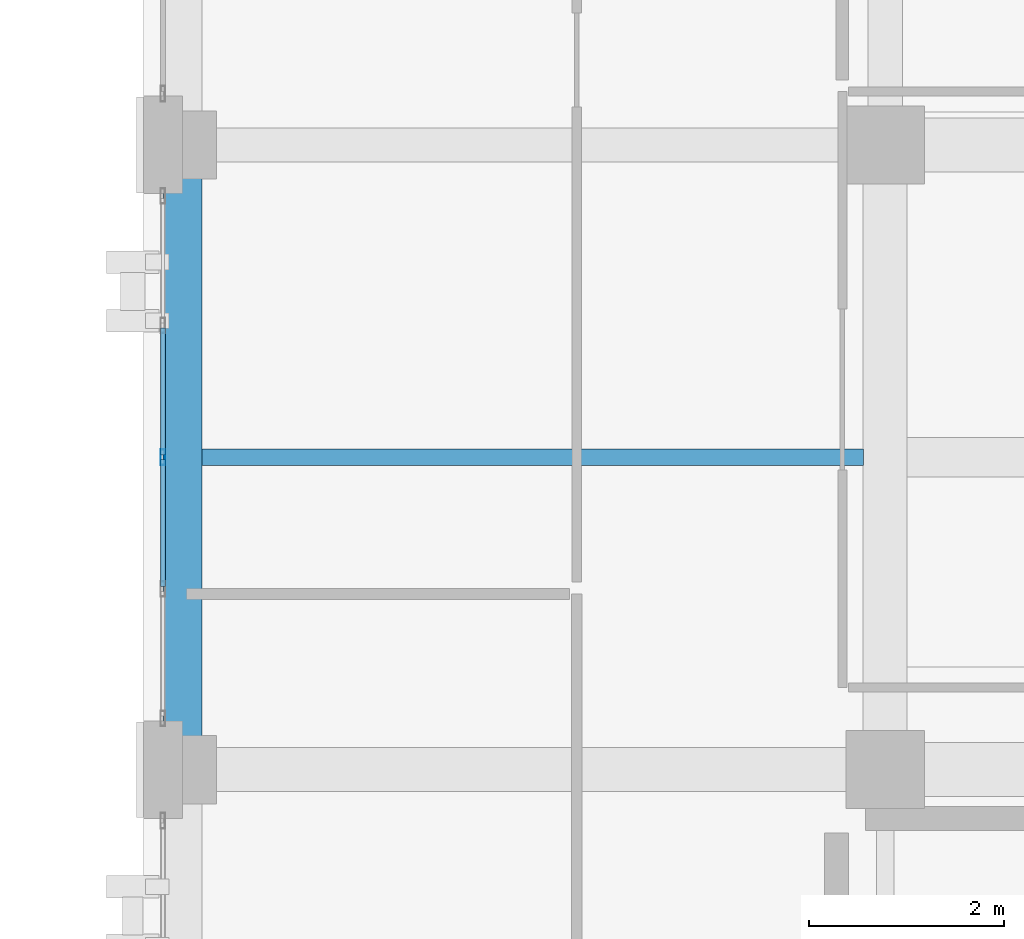
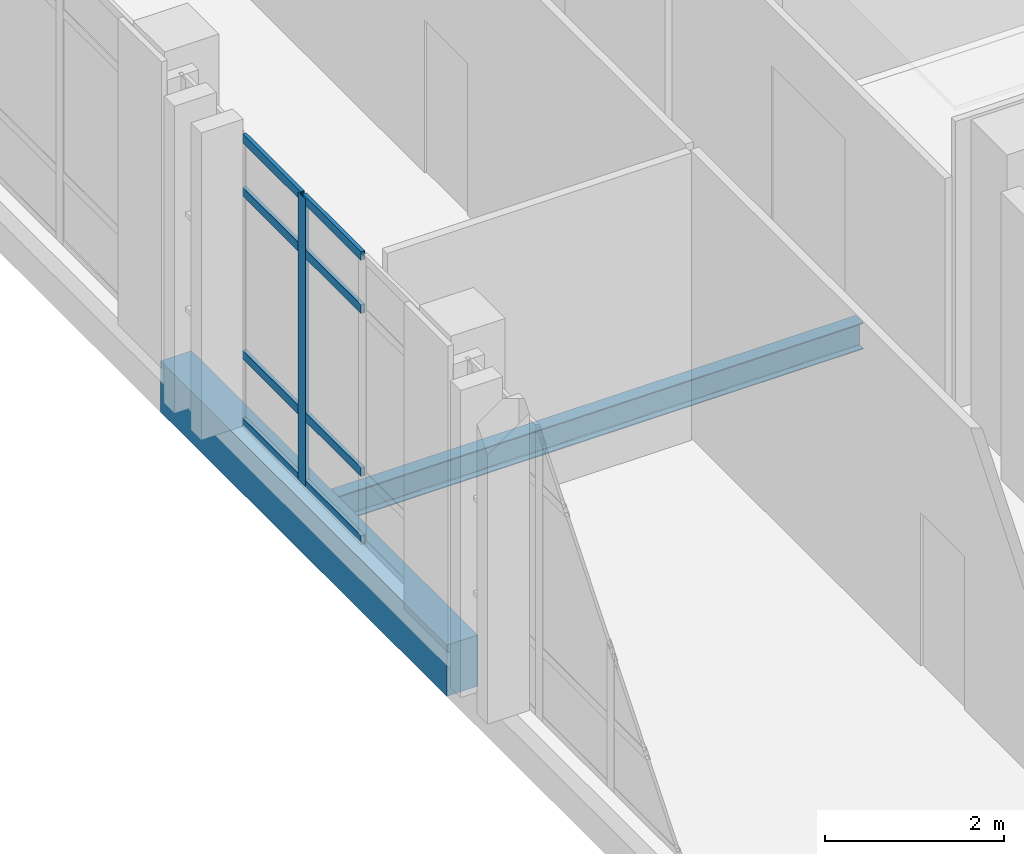
# One storey, part 98 of 158: 9 members, 2 beams, 1 element without a shape of its own.
"""IFC4 building model written with IfcOpenShell, lengths in metres."""

from ifc_helpers import new_model, si_unit, direction, frame, origin, origin_2d, place, context, subcontext, project, spatial, rectangle, hollow_rectangle, i_section, extrude, material, layer, layer_set, material_profile, profile_set, type_object, element, aggregate, save


model = new_model("IFC4")

# Units and contexts
model_context = context("Model", 3, precision=1e-05, world=origin(), true_north=direction((0.0, 1.0)))
body_context = subcontext(model_context, "Body", "Model", "MODEL_VIEW")
ifc_project = project(units=[si_unit("LENGTHUNIT", "METRE"), si_unit("AREAUNIT", "SQUARE_METRE"), si_unit("VOLUMEUNIT", "CUBIC_METRE"), si_unit("PLANEANGLEUNIT", "RADIAN"), si_unit("MASSUNIT", "GRAM", prefix="KILO")], contexts=[model_context])

# Site, building, storey
site_placement = place(None, origin())
site = spatial("IfcSite", under=ifc_project, at=site_placement, CompositionType="ELEMENT")
building_placement = place(site_placement, origin())
building = spatial("IfcBuilding", under=site, at=building_placement, Name="Qalavern Law Courts", CompositionType="ELEMENT")
storey_placement = place(building_placement, frame((0.0, 0.0, 18.60009765625)))
storey = spatial("IfcBuildingStorey", under=building, at=storey_placement, Name="L04", CompositionType="ELEMENT", Elevation=18.60009765625)

# Curtain wall, members
ifc_material_1 = material(Name="Anodised aluminium and insulated glazing", Category="aluminium")
ifc_layer = layer(ifc_material_1, 0.159912109375)
ifc_layer_set = layer_set([ifc_layer], Name="Anodised aluminium and insulated glazing")
curtain_wall_type = type_object("IfcCurtainWallType", Name="ENV-CW-CHAMB", PredefinedType="USERDEFINED", material=ifc_layer_set)
curtain_wall_placement = place(storey_placement, origin())
curtain_wall = element("IfcCurtainWall", 1, at=curtain_wall_placement, inside=storey, type_object=curtain_wall_type, Name="V4 unitised curtain wall L04 west 2", ObjectType="UNITISED CURTAIN WALL", PredefinedType="USERDEFINED")
ifc_material_2 = material(Name="Anodised aluminium", Category="aluminium")
ifc_material_profile_1 = material_profile(ifc_material_2, hollow_rectangle(XDim=0.048095703125, YDim=0.159912109375, WallThickness=0.00390625, at=origin_2d()), Name="ALU MULLION 48x160")
ifc_profile_set_1 = profile_set([ifc_material_profile_1], Name="Anodised aluminium")
member_type_1 = type_object("IfcMemberType", Name="ENV-CWM-48x160", PredefinedType="MULLION", material=ifc_profile_set_1)
member_1_placement = place(storey_placement, frame((84.39990234375, 76.0, 0.0), z_axis=(0.0, 0.0, 1.0), x_axis=(1.0, 0.0, 0.0)))
member_1 = element("IfcMember", 2, at=member_1_placement, type_object=member_type_1, Name="CW-04 mullion 3", PredefinedType="MULLION", context=body_context, shape_type="SweptSolid", body=[
    extrude(hollow_rectangle(XDim=0.048095703125, YDim=0.159912109375, WallThickness=0.00390625, at=origin_2d()), origin(), (0.0, 0.0, 1.0), 3.9248046875),
])
ifc_material_profile_2 = material_profile(ifc_material_2, hollow_rectangle(XDim=0.048095703125, YDim=0.1201171875, WallThickness=0.00390625, at=origin_2d()), Name="ALU TRANSOM 48x120")
ifc_profile_set_2 = profile_set([ifc_material_profile_2], Name="Anodised aluminium")
member_type_2 = type_object("IfcMemberType", Name="ENV-CWT-48x120", PredefinedType="USERDEFINED", material=ifc_profile_set_2)
member_2_placement = place(storey_placement, frame((84.39990234375, 77.325927734375, 0.02392578125), z_axis=(0.0, -1.0, 0.0), x_axis=(1.0, 0.0, 0.0)))
member_2 = element("IfcMember", 3, at=member_2_placement, type_object=member_type_2, Name="CW-04 transom 2.1", ObjectType="TRANSOM", PredefinedType="USERDEFINED", context=body_context, shape_type="SweptSolid", body=[
    extrude(hollow_rectangle(XDim=0.048095703125, YDim=0.1201171875, WallThickness=0.00390625, at=origin_2d()), origin(), (0.0, 0.0, 1.0), 1.302001953125),
])
member_3_placement = place(storey_placement, frame((84.39990234375, 77.325927734375, 0.949951171875), z_axis=(0.0, -1.0, 0.0), x_axis=(1.0, 0.0, 0.0)))
member_3 = element("IfcMember", 4, at=member_3_placement, type_object=member_type_2, Name="CW-04 transom 2.2", ObjectType="TRANSOM", PredefinedType="USERDEFINED", context=body_context, shape_type="SweptSolid", body=[
    extrude(hollow_rectangle(XDim=0.048095703125, YDim=0.1201171875, WallThickness=0.00390625, at=origin_2d()), origin(), (0.0, 0.0, 1.0), 1.302001953125),
])
member_4_placement = place(storey_placement, frame((84.39990234375, 77.325927734375, 3.1748046875), z_axis=(0.0, -1.0, 0.0), x_axis=(1.0, 0.0, 0.0)))
member_4 = element("IfcMember", 5, at=member_4_placement, type_object=member_type_2, Name="CW-04 transom 2.3", ObjectType="TRANSOM", PredefinedType="USERDEFINED", context=body_context, shape_type="SweptSolid", body=[
    extrude(hollow_rectangle(XDim=0.048095703125, YDim=0.1201171875, WallThickness=0.00390625, at=origin_2d()), origin(), (0.0, 0.0, 1.0), 1.302001953125),
])
member_5_placement = place(storey_placement, frame((84.39990234375, 77.325927734375, 3.90087890625), z_axis=(0.0, -1.0, 0.0), x_axis=(1.0, 0.0, 0.0)))
member_5 = element("IfcMember", 6, at=member_5_placement, type_object=member_type_2, Name="CW-04 transom 2.4", ObjectType="TRANSOM", PredefinedType="USERDEFINED", context=body_context, shape_type="SweptSolid", body=[
    extrude(hollow_rectangle(XDim=0.048095703125, YDim=0.1201171875, WallThickness=0.00390625, at=origin_2d()), origin(), (0.0, 0.0, 1.0), 1.302001953125),
])
member_6_placement = place(storey_placement, frame((84.39990234375, 75.97607421875, 0.02392578125), z_axis=(0.0, -1.0, 0.0), x_axis=(1.0, 0.0, 0.0)))
member_6 = element("IfcMember", 7, at=member_6_placement, type_object=member_type_2, Name="CW-04 transom 3.1", ObjectType="TRANSOM", PredefinedType="USERDEFINED", context=body_context, shape_type="SweptSolid", body=[
    extrude(hollow_rectangle(XDim=0.048095703125, YDim=0.1201171875, WallThickness=0.00390625, at=origin_2d()), origin(), (0.0, 0.0, 1.0), 1.302001953125),
])
member_7_placement = place(storey_placement, frame((84.39990234375, 75.97607421875, 0.949951171875), z_axis=(0.0, -1.0, 0.0), x_axis=(1.0, 0.0, 0.0)))
member_7 = element("IfcMember", 8, at=member_7_placement, type_object=member_type_2, Name="CW-04 transom 3.2", ObjectType="TRANSOM", PredefinedType="USERDEFINED", context=body_context, shape_type="SweptSolid", body=[
    extrude(hollow_rectangle(XDim=0.048095703125, YDim=0.1201171875, WallThickness=0.00390625, at=origin_2d()), origin(), (0.0, 0.0, 1.0), 1.302001953125),
])
member_8_placement = place(storey_placement, frame((84.39990234375, 75.97607421875, 3.1748046875), z_axis=(0.0, -1.0, 0.0), x_axis=(1.0, 0.0, 0.0)))
member_8 = element("IfcMember", 9, at=member_8_placement, type_object=member_type_2, Name="CW-04 transom 3.3", ObjectType="TRANSOM", PredefinedType="USERDEFINED", context=body_context, shape_type="SweptSolid", body=[
    extrude(hollow_rectangle(XDim=0.048095703125, YDim=0.1201171875, WallThickness=0.00390625, at=origin_2d()), origin(), (0.0, 0.0, 1.0), 1.302001953125),
])
member_9_placement = place(storey_placement, frame((84.39990234375, 75.97607421875, 3.90087890625), z_axis=(0.0, -1.0, 0.0), x_axis=(1.0, 0.0, 0.0)))
member_9 = element("IfcMember", 10, at=member_9_placement, type_object=member_type_2, Name="CW-04 transom 3.4", ObjectType="TRANSOM", PredefinedType="USERDEFINED", context=body_context, shape_type="SweptSolid", body=[
    extrude(hollow_rectangle(XDim=0.048095703125, YDim=0.1201171875, WallThickness=0.00390625, at=origin_2d()), origin(), (0.0, 0.0, 1.0), 1.302001953125),
])
aggregate(curtain_wall, [member_1, member_2, member_3, member_4, member_5, member_6, member_7, member_8, member_9])

# Beams
ifc_material_3 = material(Name="Steel S355", Category="steel")
ifc_material_profile_3 = material_profile(ifc_material_3, i_section(OverallWidth=0.169921875, OverallDepth=0.360107421875, WebThickness=0.008056640625, FlangeThickness=0.0126953125, FilletRadius=0.01806640625, at=origin_2d()), Name="IPE 360")
ifc_profile_set_3 = profile_set([ifc_material_profile_3], Name="Steel S355")
beam_type_1 = type_object("IfcBeamType", Name="STR-JST-IPE360", PredefinedType="JOIST", material=ifc_profile_set_3)
beam_1_placement = place(storey_placement, frame((84.798095703125, 76.0, -0.460205078125), z_axis=(1.0, 0.0, 0.0), x_axis=(0.0, 1.0, 0.0)))
element("IfcBeam", 11, at=beam_1_placement, inside=storey, type_object=beam_type_1, Name="V4 secondary joist 1.5.1 L04", PredefinedType="JOIST", context=body_context, shape_type="SweptSolid", body=[
    extrude(i_section(OverallWidth=0.169921875, OverallDepth=0.360107421875, WebThickness=0.008056640625, FlangeThickness=0.0126953125, FilletRadius=0.01806640625, at=origin_2d()), origin(), (0.0, 0.0, 1.0), 6.77880859375),
])
ifc_material_4 = material(Name="Concrete C40/50", Category="concrete")
ifc_material_profile_4 = material_profile(ifc_material_4, rectangle(XDim=0.39990234375, YDim=0.699951171875, at=origin_2d()), Name="RC 400x700")
ifc_profile_set_4 = profile_set([ifc_material_profile_4], Name="Concrete C40/50")
beam_type_2 = type_object("IfcBeamType", Name="STR-SP-RC400x700", PredefinedType="SPANDREL", material=ifc_profile_set_4)
beam_2_placement = place(storey_placement, frame((84.60009765625, 72.800048828125, -0.630126953125), z_axis=(0.0, 1.0, 0.0), x_axis=(-1.0, 0.0, 0.0)))
element("IfcBeam", 12, at=beam_2_placement, inside=storey, type_object=beam_type_2, Name="V4 Y-beam 1-5 L04", PredefinedType="SPANDREL", context=body_context, shape_type="SweptSolid", body=[
    extrude(rectangle(XDim=0.39990234375, YDim=0.699951171875, at=origin_2d()), origin(), (0.0, 0.0, 1.0), 6.39990234375),
])

save(model, "model.ifc")
